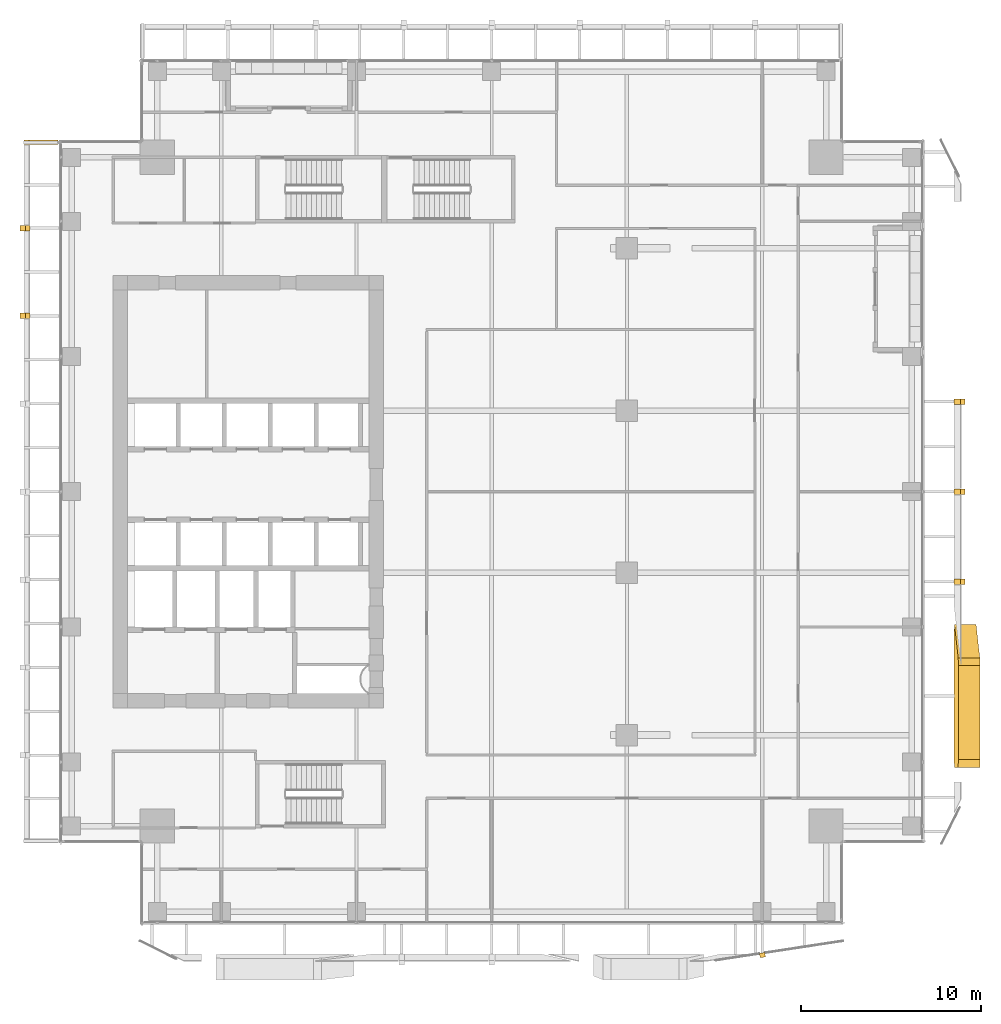
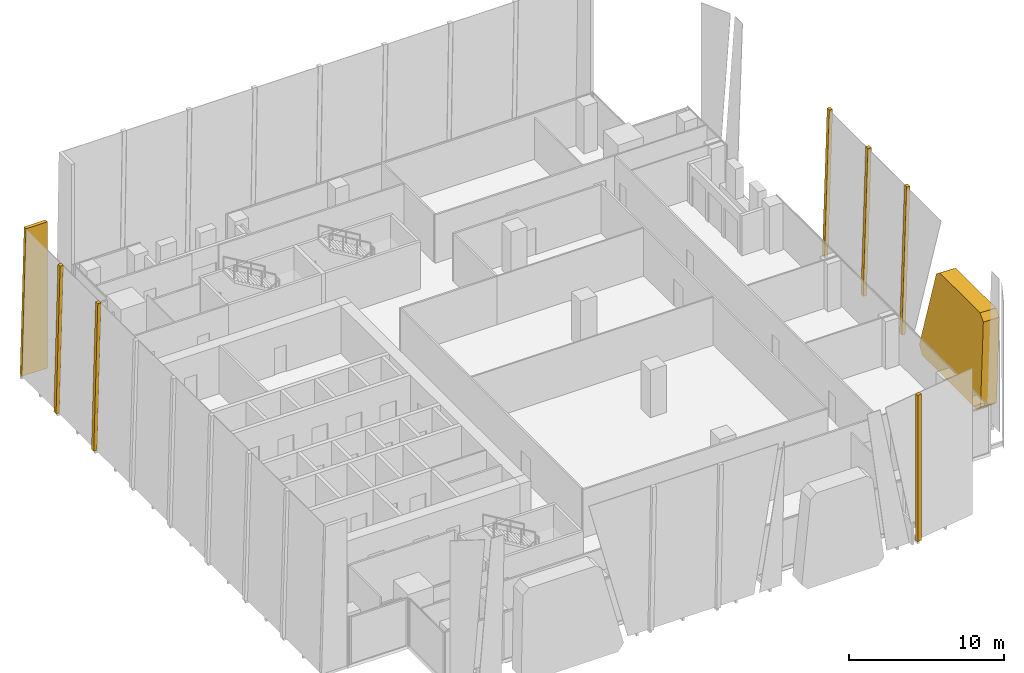
# One storey, part 33 of 35: 8 coverings.
"""IFC4 building model written with IfcOpenShell, lengths in metres."""

from ifc_helpers import new_model, si_unit, direction, frame, origin, place, context, subcontext, project, spatial, polyline, outline, extrude, material, layer, layer_set, type_object, element, save


model = new_model("IFC4")

# Units and contexts
model_context = context("Model", 3, precision=1e-05, world=origin(), true_north=direction((0.0, 1.0)))
body_context = subcontext(model_context, "Body", "Model", "MODEL_VIEW")
ifc_project = project(units=[si_unit("LENGTHUNIT", "METRE"), si_unit("AREAUNIT", "SQUARE_METRE"), si_unit("VOLUMEUNIT", "CUBIC_METRE"), si_unit("PLANEANGLEUNIT", "RADIAN"), si_unit("MASSUNIT", "GRAM", prefix="KILO")], contexts=[model_context])

# Site, building, storey
site_placement = place(None, origin())
site = spatial("IfcSite", under=ifc_project, at=site_placement, CompositionType="ELEMENT")
building_placement = place(site_placement, origin())
building = spatial("IfcBuilding", under=site, at=building_placement, Name="Khomas Fold Tower", CompositionType="ELEMENT")
storey_placement = place(building_placement, frame((0.0, 0.0, 188.699951171875)))
storey = spatial("IfcBuildingStorey", under=building, at=storey_placement, Name="L41", CompositionType="ELEMENT", Elevation=188.699951171875)

# Coverings
ifc_material_1 = material(Name="Natural stone cladding", Category="masonry")
ifc_layer_1 = layer(ifc_material_1, 0.25)
ifc_layer_set_1 = layer_set([ifc_layer_1], Name="Natural stone cladding")
covering_type_1 = type_object("IfcCoveringType", Name="SK-Karibib marble stone mullion", PredefinedType="CLADDING", material=ifc_layer_set_1)
covering_1_placement = place(storey_placement, frame((41.85009765625, 1.39306640625, 0.0), z_axis=(-0.150544626295, 0.988603214386, 0.0), x_axis=(0.0, 0.0, 1.0)))
element("IfcCovering", 1, at=covering_1_placement, inside=storey, type_object=covering_type_1, Name="OUTER SKIN mullion L41 SM106-11", PredefinedType="CLADDING", context=body_context, shape_type="SweptSolid", body=[
    extrude(outline(polyline([(0.0, 0.0), (11.550048828125, 0.0), (11.550048828125, 0.30326088681220215), (0.0, 0.30326088681220215), (0.0, 0.0)])), origin(), (0.0, 0.0, -1.0), 0.25),
])
for number, where, z_axis, x_axis, name in (
    (2, (52.6513671875, 21.85009765625, 0.0), (-0.999510363794, 0.0, 0.031289497744), (0.031289497744, 0.0, 0.999510363794), "OUTER SKIN mullion L41 EM102-4"),
    (3, (52.6513671875, 26.85009765625, 0.0), (-0.999510363794, 0.0, 0.031289497744), (0.031289497744, 0.0, 0.999510363794), "OUTER SKIN mullion L41 EM103-6"),
    (4, (52.6513671875, 31.85009765625, 0.0), (-0.999510363794, 0.0, 0.031289497744), (0.031289497744, 0.0, 0.999510363794), "OUTER SKIN mullion L41 EM104-8"),
):
    element("IfcCovering", number, at=place(storey_placement, frame(where, z_axis=z_axis, x_axis=x_axis)), inside=storey, type_object=covering_type_1, Name=name, PredefinedType="CLADDING", context=body_context, shape_type="SweptSolid", body=[
        extrude(outline(polyline([(0.0, 0.0), (11.555706920623285, 0.0), (11.555706920623285, 0.2998046875), (0.0, 0.2998046875), (0.0, 0.0)])), origin(), (0.0, 0.0, -1.0), 0.25),
    ])
for number, where, z_axis, x_axis, name in (
    (5, (0.83349609375, 36.60009765625, 0.006591796875), (-0.999657230839, 0.0, 0.026180543005), (0.0, 1.0, 0.0), "OUTER SKIN mullion L41 W12"),
    (6, (0.83349609375, 41.47509765625, 0.006591796875), (-0.999657230839, 0.0, 0.026180543005), (0.0, 1.0, 0.0), "OUTER SKIN mullion L41 W14"),
):
    element("IfcCovering", number, at=place(storey_placement, frame(where, z_axis=z_axis, x_axis=x_axis)), inside=storey, type_object=covering_type_1, Name=name, PredefinedType="CLADDING", context=body_context, shape_type="SweptSolid", body=[
        extrude(outline(polyline([(0.0, 0.0), (0.2998046875, 0.0), (0.2998046875, -11.554009186164079), (0.0, -11.554009186164079), (0.0, 0.0)])), origin(), (0.0, 0.0, -1.0), 0.25),
    ])
covering_2_placement = place(storey_placement, frame((2.949951171875, 46.5, 0.0), z_axis=(0.0, 1.0, 0.0), x_axis=(-1.0, 0.0, 0.0)))
element("IfcCovering", 7, at=covering_2_placement, inside=storey, type_object=covering_type_1, Name="OUTER SKIN return L41 W2", PredefinedType="CLADDING", context=body_context, shape_type="SweptSolid", body=[
    extrude(outline(polyline([(0.0, 0.0), (1.906494140625, 0.0), (1.60400390625, 11.550048828125), (0.0, 11.550048828125), (0.0, 0.0)])), origin(), (0.0, 0.0, -1.0), 0.25),
])
ifc_material_2 = material(Name="Natural stone cladding", Category="masonry")
ifc_layer_2 = layer(ifc_material_2, 1.199951171875)
ifc_layer_set_2 = layer_set([ifc_layer_2], Name="Natural stone cladding")
covering_type_2 = type_object("IfcCoveringType", Name="SK-Karibib marble stone panel", PredefinedType="CLADDING", material=ifc_layer_set_2)
covering_3_placement = place(storey_placement, frame((52.87744140625, 17.787841796875, 7.220703125), z_axis=(-0.999510432448, 1.7526291e-05, 0.031287299661), x_axis=(-0.030139211524, 0.267870384687, -0.962983429212)))
element("IfcCovering", 8, at=covering_3_placement, inside=storey, type_object=covering_type_2, Name="OUTER SKIN leaf L41 ES03-1", PredefinedType="CLADDING", context=body_context, shape_type="SweptSolid", body=[
    extrude(outline(polyline([(0.0, 0.0), (6.905778388794243, 0.0), (7.33960520356597, 0.5706578187417806), (5.4499941451809075, 7.367061032983609), (4.895750611471887, 7.679982507417142), (-1.5145068044773502, 5.897731965633023), (-1.8277005093912946, 5.343636014733261), (-0.43361042385123877, 0.3294833422755515), (0.0, 0.0)])), origin(), (0.0, 0.0, -1.0), 1.199951171875),
])

save(model, "model.ifc")
